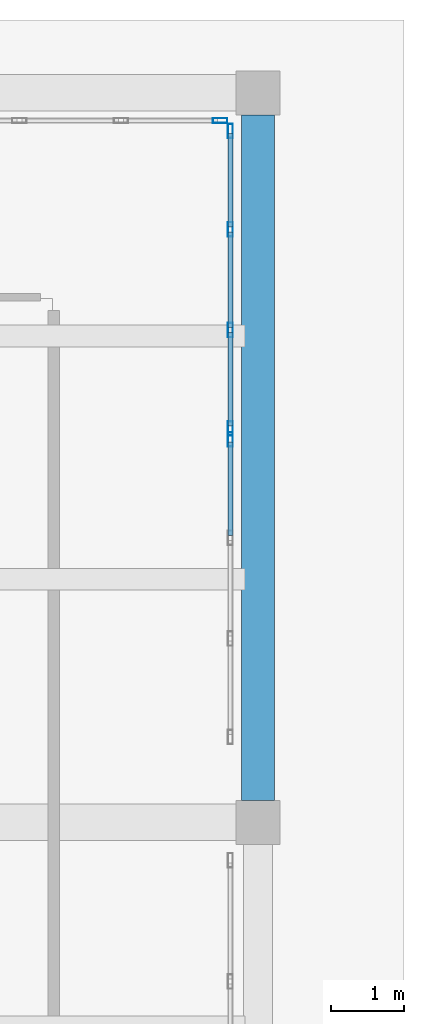
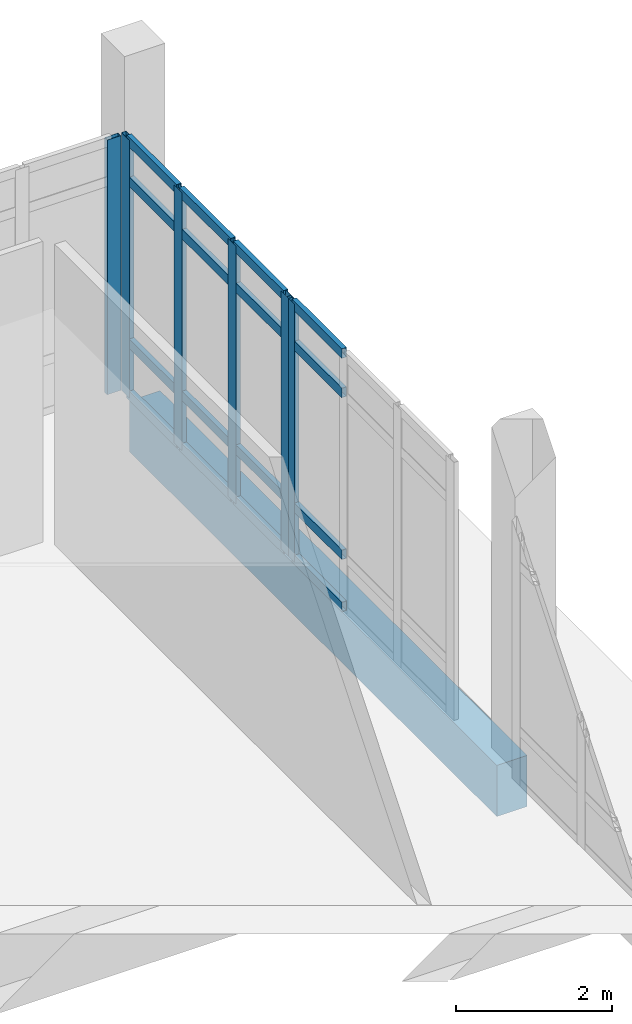
# One storey, part 36 of 64: 22 members, 1 beam, 3 elements without a shape of their own.
"""IFC4 building model written with IfcOpenShell, lengths in metres."""

from ifc_helpers import new_model, si_unit, derived_unit, direction, frame, origin, origin_2d, place, context, subcontext, project, spatial, rectangle, hollow_rectangle, extrude, material, layer, layer_set, material_profile, profile_set, type_object, element, aggregate, save


model = new_model("IFC4")

# Units and contexts
model_context = context("Model", 3, precision=1e-05, world=origin(), true_north=direction((0.0, 1.0)))
body_context = subcontext(model_context, "Body", "Model", "MODEL_VIEW")
ifc_project = project(units=[si_unit("LENGTHUNIT", "METRE"), si_unit("AREAUNIT", "SQUARE_METRE"), si_unit("VOLUMEUNIT", "CUBIC_METRE"), si_unit("PLANEANGLEUNIT", "RADIAN"), si_unit("MASSUNIT", "GRAM", prefix="KILO"), derived_unit("THERMALTRANSMITTANCEUNIT", [(si_unit("POWERUNIT", "WATT"), 1), (si_unit("LENGTHUNIT", "METRE"), -2), (si_unit("THERMODYNAMICTEMPERATUREUNIT", "KELVIN"), -1)])], contexts=[model_context])

# Site, building, storey
site_placement = place(None, origin())
site = spatial("IfcSite", under=ifc_project, at=site_placement, CompositionType="ELEMENT")
building_placement = place(site_placement, origin())
building = spatial("IfcBuilding", under=site, at=building_placement, Name="Elbkamm Science Centre", CompositionType="ELEMENT")
storey_placement = place(building_placement, origin())
storey = spatial("IfcBuildingStorey", under=building, at=storey_placement, Name="L00", CompositionType="ELEMENT", Elevation=0.0)

# Beam
ifc_material_1 = material(Name="Concrete C40/50", Category="concrete")
ifc_material_profile_1 = material_profile(ifc_material_1, rectangle(XDim=0.449951171875, YDim=0.800048828125, at=origin_2d()), Name="RC 450x800")
ifc_profile_set_1 = profile_set([ifc_material_profile_1], Name="Concrete C40/50")
beam_type = type_object("IfcBeamType", Name="BM-RC-450x800", PredefinedType="BEAM", material=ifc_profile_set_1)
beam_placement = place(storey_placement, frame((160.800048828125, 101.10009765625, -0.699951171875), z_axis=(0.0, 1.0, 0.0), x_axis=(-1.0, 0.0, 0.0)))
element("IfcBeam", 1, at=beam_placement, inside=storey, type_object=beam_type, Name="L00 Primary Y-Girder 087", PredefinedType="BEAM", context=body_context, shape_type="SweptSolid", body=[
    extrude(rectangle(XDim=0.449951171875, YDim=0.800048828125, at=origin_2d()), origin(), (0.0, 0.0, 1.0), 9.39990234375),
])

# Curtain wall, member
ifc_material_2 = material(Name="Powder-coated aluminium and triple low-E glazing", Category="aluminium")
ifc_layer_1 = layer(ifc_material_2, 0.159912109375)
ifc_layer_set_1 = layer_set([ifc_layer_1], Name="Powder-coated aluminium and triple low-E glazing")
curtain_wall_type_1 = type_object("IfcCurtainWallType", Name="CW-UNIT-4180x3980", PredefinedType="USERDEFINED", material=ifc_layer_set_1)
curtain_wall_1_placement = place(storey_placement, origin())
curtain_wall_1 = element("IfcCurtainWall", 2, at=curtain_wall_1_placement, inside=storey, type_object=curtain_wall_type_1, Name="L00 Unitised Curtain Wall 113", ObjectType="UNITISED CURTAIN WALL", PredefinedType="USERDEFINED")
ifc_material_3 = material(Name="Powder-coated aluminium EN AW-6060", Category="aluminium")
ifc_material_profile_2 = material_profile(ifc_material_3, hollow_rectangle(XDim=0.070068359375, YDim=0.199951171875, WallThickness=0.00439453125, at=origin_2d()), Name="ALU M70x200")
ifc_profile_set_2 = profile_set([ifc_material_profile_2], Name="Powder-coated aluminium EN AW-6060")
member_type_1 = type_object("IfcMemberType", Name="CW-MUL-70x200", PredefinedType="MULLION", material=ifc_profile_set_2)
member_1_placement = place(storey_placement, frame((160.27880859375, 110.419921875, 0.0), z_axis=(0.0, 0.0, 1.0), x_axis=(0.0, 1.0, 0.0)))
member_1 = element("IfcMember", 3, at=member_1_placement, type_object=member_type_1, Name="CW-056 mullion 4", PredefinedType="MULLION", context=body_context, shape_type="SweptSolid", body=[
    extrude(hollow_rectangle(XDim=0.070068359375, YDim=0.199951171875, WallThickness=0.00439453125, at=origin_2d()), origin(), (0.0, 0.0, 1.0), 3.97998046875),
])
aggregate(curtain_wall_1, [member_1])

# Curtain wall, members
ifc_layer_2 = layer(ifc_material_2, 0.159912109375)
ifc_layer_set_2 = layer_set([ifc_layer_2], Name="Powder-coated aluminium and triple low-E glazing")
curtain_wall_type_2 = type_object("IfcCurtainWallType", Name="CW-UNIT-4140x4040", PredefinedType="USERDEFINED", material=ifc_layer_set_2)
curtain_wall_2_placement = place(storey_placement, origin())
curtain_wall_2 = element("IfcCurtainWall", 4, at=curtain_wall_2_placement, inside=storey, type_object=curtain_wall_type_2, Name="L00 Unitised Curtain Wall 114", ObjectType="UNITISED CURTAIN WALL", PredefinedType="USERDEFINED")
member_2_placement = place(storey_placement, frame((160.419921875, 110.27880859375, 0.0), z_axis=(0.0, 0.0, 1.0), x_axis=(1.0, 0.0, 0.0)))
member_2 = element("IfcMember", 5, at=member_2_placement, type_object=member_type_1, Name="CW-057 mullion 1", PredefinedType="MULLION", context=body_context, shape_type="SweptSolid", body=[
    extrude(hollow_rectangle(XDim=0.070068359375, YDim=0.199951171875, WallThickness=0.00439453125, at=origin_2d()), origin(), (0.0, 0.0, 1.0), 4.030029296875),
])
member_3_placement = place(storey_placement, frame((160.419921875, 108.9306640625, 0.0), z_axis=(0.0, 0.0, 1.0), x_axis=(1.0, 0.0, 0.0)))
member_3 = element("IfcMember", 6, at=member_3_placement, type_object=member_type_1, Name="CW-057 mullion 2", PredefinedType="MULLION", context=body_context, shape_type="SweptSolid", body=[
    extrude(hollow_rectangle(XDim=0.070068359375, YDim=0.199951171875, WallThickness=0.00439453125, at=origin_2d()), origin(), (0.0, 0.0, 1.0), 4.030029296875),
])
member_4_placement = place(storey_placement, frame((160.419921875, 107.5478515625, 0.0), z_axis=(0.0, 0.0, 1.0), x_axis=(1.0, 0.0, 0.0)))
member_4 = element("IfcMember", 7, at=member_4_placement, type_object=member_type_1, Name="CW-057 mullion 3", PredefinedType="MULLION", context=body_context, shape_type="SweptSolid", body=[
    extrude(hollow_rectangle(XDim=0.070068359375, YDim=0.199951171875, WallThickness=0.00439453125, at=origin_2d()), origin(), (0.0, 0.0, 1.0), 4.030029296875),
])
member_5_placement = place(storey_placement, frame((160.419921875, 106.199951171875, 0.0), z_axis=(0.0, 0.0, 1.0), x_axis=(1.0, 0.0, 0.0)))
member_5 = element("IfcMember", 8, at=member_5_placement, type_object=member_type_1, Name="CW-057 mullion 4", PredefinedType="MULLION", context=body_context, shape_type="SweptSolid", body=[
    extrude(hollow_rectangle(XDim=0.070068359375, YDim=0.199951171875, WallThickness=0.00439453125, at=origin_2d()), origin(), (0.0, 0.0, 1.0), 4.030029296875),
])

# Curtain wall, member
curtain_wall_3_placement = place(storey_placement, origin())
curtain_wall_3 = element("IfcCurtainWall", 9, at=curtain_wall_3_placement, inside=storey, type_object=curtain_wall_type_2, Name="L00 Unitised Curtain Wall 115", ObjectType="UNITISED CURTAIN WALL", PredefinedType="USERDEFINED")
member_6_placement = place(storey_placement, frame((160.419921875, 106.0498046875, 0.0), z_axis=(0.0, 0.0, 1.0), x_axis=(1.0, 0.0, 0.0)))
member_6 = element("IfcMember", 10, at=member_6_placement, type_object=member_type_1, Name="CW-057 mullion 1", PredefinedType="MULLION", context=body_context, shape_type="SweptSolid", body=[
    extrude(hollow_rectangle(XDim=0.070068359375, YDim=0.199951171875, WallThickness=0.00439453125, at=origin_2d()), origin(), (0.0, 0.0, 1.0), 4.030029296875),
])

# Member
ifc_material_profile_3 = material_profile(ifc_material_3, hollow_rectangle(XDim=0.070068359375, YDim=0.14990234375, WallThickness=0.00390625, at=origin_2d()), Name="ALU T70x150")
ifc_profile_set_3 = profile_set([ifc_material_profile_3], Name="Powder-coated aluminium EN AW-6060")
member_type_2 = type_object("IfcMemberType", Name="CW-TRN-70x150", PredefinedType="USERDEFINED", material=ifc_profile_set_3)
member_7_placement = place(storey_placement, frame((160.419921875, 110.24365234375, 0.034912109375), z_axis=(0.0, -1.0, 0.0), x_axis=(1.0, 0.0, 0.0)))
member_7 = element("IfcMember", 11, at=member_7_placement, type_object=member_type_2, Name="CW-057 transom 1.1", ObjectType="TRANSOM", PredefinedType="USERDEFINED", context=body_context, shape_type="SweptSolid", body=[
    extrude(hollow_rectangle(XDim=0.070068359375, YDim=0.14990234375, WallThickness=0.00390625, at=origin_2d()), origin(), (0.0, 0.0, 1.0), 1.27783203125),
])

member_8_placement = place(storey_placement, frame((160.419921875, 110.24365234375, 0.85009765625), z_axis=(0.0, -1.0, 0.0), x_axis=(1.0, 0.0, 0.0)))
member_8 = element("IfcMember", 12, at=member_8_placement, type_object=member_type_2, Name="CW-057 transom 1.2", ObjectType="TRANSOM", PredefinedType="USERDEFINED", context=body_context, shape_type="SweptSolid", body=[
    extrude(hollow_rectangle(XDim=0.070068359375, YDim=0.14990234375, WallThickness=0.00390625, at=origin_2d()), origin(), (0.0, 0.0, 1.0), 1.27783203125),
])

member_9_placement = place(storey_placement, frame((160.419921875, 110.24365234375, 3.3798828125), z_axis=(0.0, -1.0, 0.0), x_axis=(1.0, 0.0, 0.0)))
member_9 = element("IfcMember", 13, at=member_9_placement, type_object=member_type_2, Name="CW-057 transom 1.3", ObjectType="TRANSOM", PredefinedType="USERDEFINED", context=body_context, shape_type="SweptSolid", body=[
    extrude(hollow_rectangle(XDim=0.070068359375, YDim=0.14990234375, WallThickness=0.00390625, at=origin_2d()), origin(), (0.0, 0.0, 1.0), 1.27783203125),
])

member_10_placement = place(storey_placement, frame((160.419921875, 110.24365234375, 3.9951171875), z_axis=(0.0, -1.0, 0.0), x_axis=(1.0, 0.0, 0.0)))
member_10 = element("IfcMember", 14, at=member_10_placement, type_object=member_type_2, Name="CW-057 transom 1.4", ObjectType="TRANSOM", PredefinedType="USERDEFINED", context=body_context, shape_type="SweptSolid", body=[
    extrude(hollow_rectangle(XDim=0.070068359375, YDim=0.14990234375, WallThickness=0.00390625, at=origin_2d()), origin(), (0.0, 0.0, 1.0), 1.27783203125),
])

member_11_placement = place(storey_placement, frame((160.419921875, 108.895751953125, 0.034912109375), z_axis=(0.0, -1.0, 0.0), x_axis=(1.0, 0.0, 0.0)))
member_11 = element("IfcMember", 15, at=member_11_placement, type_object=member_type_2, Name="CW-057 transom 2.1", ObjectType="TRANSOM", PredefinedType="USERDEFINED", context=body_context, shape_type="SweptSolid", body=[
    extrude(hollow_rectangle(XDim=0.070068359375, YDim=0.14990234375, WallThickness=0.00390625, at=origin_2d()), origin(), (0.0, 0.0, 1.0), 1.31298828125),
])

member_12_placement = place(storey_placement, frame((160.419921875, 108.895751953125, 0.85009765625), z_axis=(0.0, -1.0, 0.0), x_axis=(1.0, 0.0, 0.0)))
member_12 = element("IfcMember", 16, at=member_12_placement, type_object=member_type_2, Name="CW-057 transom 2.2", ObjectType="TRANSOM", PredefinedType="USERDEFINED", context=body_context, shape_type="SweptSolid", body=[
    extrude(hollow_rectangle(XDim=0.070068359375, YDim=0.14990234375, WallThickness=0.00390625, at=origin_2d()), origin(), (0.0, 0.0, 1.0), 1.31298828125),
])

member_13_placement = place(storey_placement, frame((160.419921875, 108.895751953125, 3.3798828125), z_axis=(0.0, -1.0, 0.0), x_axis=(1.0, 0.0, 0.0)))
member_13 = element("IfcMember", 17, at=member_13_placement, type_object=member_type_2, Name="CW-057 transom 2.3", ObjectType="TRANSOM", PredefinedType="USERDEFINED", context=body_context, shape_type="SweptSolid", body=[
    extrude(hollow_rectangle(XDim=0.070068359375, YDim=0.14990234375, WallThickness=0.00390625, at=origin_2d()), origin(), (0.0, 0.0, 1.0), 1.31298828125),
])

member_14_placement = place(storey_placement, frame((160.419921875, 108.895751953125, 3.9951171875), z_axis=(0.0, -1.0, 0.0), x_axis=(1.0, 0.0, 0.0)))
member_14 = element("IfcMember", 18, at=member_14_placement, type_object=member_type_2, Name="CW-057 transom 2.4", ObjectType="TRANSOM", PredefinedType="USERDEFINED", context=body_context, shape_type="SweptSolid", body=[
    extrude(hollow_rectangle(XDim=0.070068359375, YDim=0.14990234375, WallThickness=0.00390625, at=origin_2d()), origin(), (0.0, 0.0, 1.0), 1.31298828125),
])

member_15_placement = place(storey_placement, frame((160.419921875, 107.512939453125, 0.034912109375), z_axis=(0.0, -1.0, 0.0), x_axis=(1.0, 0.0, 0.0)))
member_15 = element("IfcMember", 19, at=member_15_placement, type_object=member_type_2, Name="CW-057 transom 3.1", ObjectType="TRANSOM", PredefinedType="USERDEFINED", context=body_context, shape_type="SweptSolid", body=[
    extrude(hollow_rectangle(XDim=0.070068359375, YDim=0.14990234375, WallThickness=0.00390625, at=origin_2d()), origin(), (0.0, 0.0, 1.0), 1.278076171875),
])

member_16_placement = place(storey_placement, frame((160.419921875, 107.512939453125, 0.85009765625), z_axis=(0.0, -1.0, 0.0), x_axis=(1.0, 0.0, 0.0)))
member_16 = element("IfcMember", 20, at=member_16_placement, type_object=member_type_2, Name="CW-057 transom 3.2", ObjectType="TRANSOM", PredefinedType="USERDEFINED", context=body_context, shape_type="SweptSolid", body=[
    extrude(hollow_rectangle(XDim=0.070068359375, YDim=0.14990234375, WallThickness=0.00390625, at=origin_2d()), origin(), (0.0, 0.0, 1.0), 1.278076171875),
])

member_17_placement = place(storey_placement, frame((160.419921875, 107.512939453125, 3.3798828125), z_axis=(0.0, -1.0, 0.0), x_axis=(1.0, 0.0, 0.0)))
member_17 = element("IfcMember", 21, at=member_17_placement, type_object=member_type_2, Name="CW-057 transom 3.3", ObjectType="TRANSOM", PredefinedType="USERDEFINED", context=body_context, shape_type="SweptSolid", body=[
    extrude(hollow_rectangle(XDim=0.070068359375, YDim=0.14990234375, WallThickness=0.00390625, at=origin_2d()), origin(), (0.0, 0.0, 1.0), 1.278076171875),
])

member_18_placement = place(storey_placement, frame((160.419921875, 107.512939453125, 3.9951171875), z_axis=(0.0, -1.0, 0.0), x_axis=(1.0, 0.0, 0.0)))
member_18 = element("IfcMember", 22, at=member_18_placement, type_object=member_type_2, Name="CW-057 transom 3.4", ObjectType="TRANSOM", PredefinedType="USERDEFINED", context=body_context, shape_type="SweptSolid", body=[
    extrude(hollow_rectangle(XDim=0.070068359375, YDim=0.14990234375, WallThickness=0.00390625, at=origin_2d()), origin(), (0.0, 0.0, 1.0), 1.278076171875),
])

aggregate(curtain_wall_2, [member_2, member_3, member_4, member_5, member_7, member_8, member_9, member_10, member_11, member_12, member_13, member_14, member_15, member_16, member_17, member_18])

member_19_placement = place(storey_placement, frame((160.419921875, 106.014892578125, 0.034912109375), z_axis=(0.0, -1.0, 0.0), x_axis=(1.0, 0.0, 0.0)))
member_19 = element("IfcMember", 23, at=member_19_placement, type_object=member_type_2, Name="CW-057 transom 1.1", ObjectType="TRANSOM", PredefinedType="USERDEFINED", context=body_context, shape_type="SweptSolid", body=[
    extrude(hollow_rectangle(XDim=0.070068359375, YDim=0.14990234375, WallThickness=0.00390625, at=origin_2d()), origin(), (0.0, 0.0, 1.0), 1.278076171875),
])

member_20_placement = place(storey_placement, frame((160.419921875, 106.014892578125, 0.85009765625), z_axis=(0.0, -1.0, 0.0), x_axis=(1.0, 0.0, 0.0)))
member_20 = element("IfcMember", 24, at=member_20_placement, type_object=member_type_2, Name="CW-057 transom 1.2", ObjectType="TRANSOM", PredefinedType="USERDEFINED", context=body_context, shape_type="SweptSolid", body=[
    extrude(hollow_rectangle(XDim=0.070068359375, YDim=0.14990234375, WallThickness=0.00390625, at=origin_2d()), origin(), (0.0, 0.0, 1.0), 1.278076171875),
])

member_21_placement = place(storey_placement, frame((160.419921875, 106.014892578125, 3.3798828125), z_axis=(0.0, -1.0, 0.0), x_axis=(1.0, 0.0, 0.0)))
member_21 = element("IfcMember", 25, at=member_21_placement, type_object=member_type_2, Name="CW-057 transom 1.3", ObjectType="TRANSOM", PredefinedType="USERDEFINED", context=body_context, shape_type="SweptSolid", body=[
    extrude(hollow_rectangle(XDim=0.070068359375, YDim=0.14990234375, WallThickness=0.00390625, at=origin_2d()), origin(), (0.0, 0.0, 1.0), 1.278076171875),
])

member_22_placement = place(storey_placement, frame((160.419921875, 106.014892578125, 3.9951171875), z_axis=(0.0, -1.0, 0.0), x_axis=(1.0, 0.0, 0.0)))
member_22 = element("IfcMember", 26, at=member_22_placement, type_object=member_type_2, Name="CW-057 transom 1.4", ObjectType="TRANSOM", PredefinedType="USERDEFINED", context=body_context, shape_type="SweptSolid", body=[
    extrude(hollow_rectangle(XDim=0.070068359375, YDim=0.14990234375, WallThickness=0.00390625, at=origin_2d()), origin(), (0.0, 0.0, 1.0), 1.278076171875),
])

aggregate(curtain_wall_3, [member_6, member_19, member_20, member_21, member_22])

save(model, "model.ifc")
